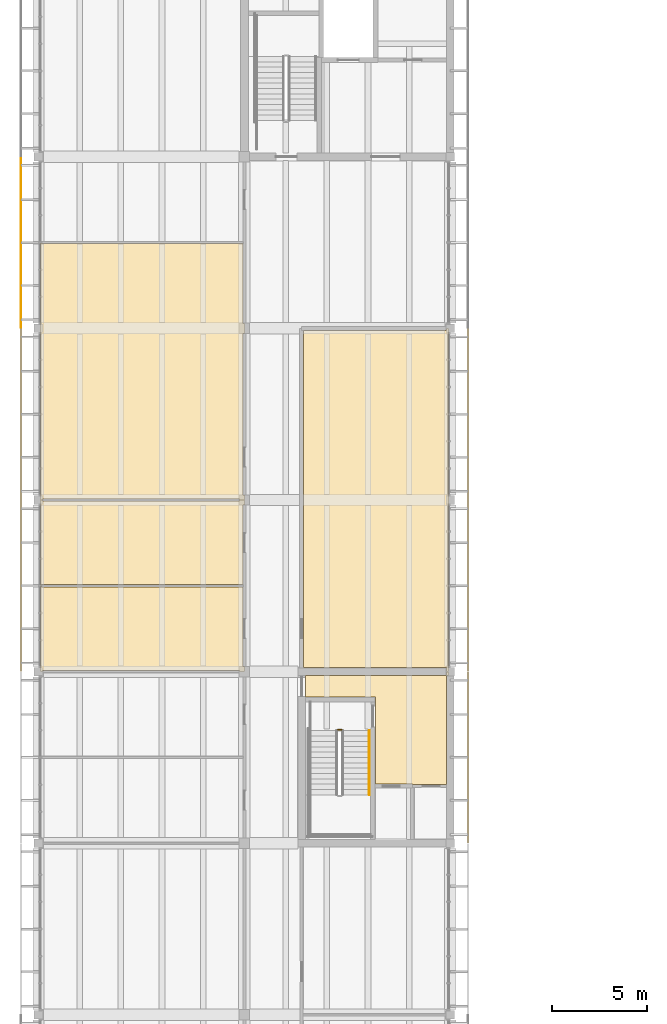
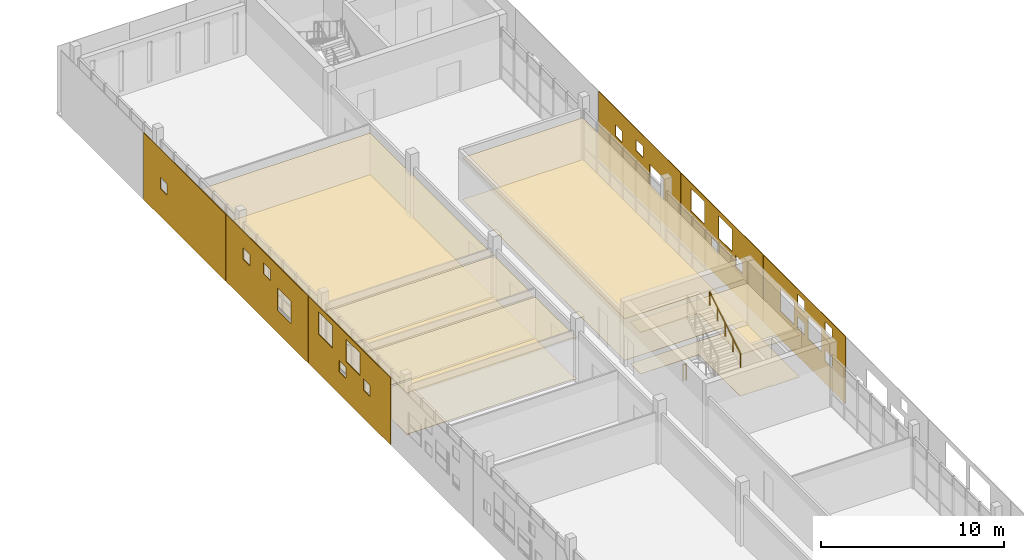
# One storey, part 45 of 50: 16 coverings, 2 railings.
"""IFC4 building model written with IfcOpenShell, lengths in metres."""

from ifc_helpers import new_model, si_unit, direction, frame, origin, origin_2d, place, context, subcontext, project, spatial, polyline, circle, outline, extrude, source, transform, mapped, material, layer, layer_set, type_object, element, save


model = new_model("IFC4")

# Units and contexts
model_context = context("Model", 3, precision=1e-05, world=origin(), true_north=direction((0.0, 1.0)))
body_context = subcontext(model_context, "Body", "Model", "MODEL_VIEW")
ifc_project = project(units=[si_unit("LENGTHUNIT", "METRE"), si_unit("AREAUNIT", "SQUARE_METRE"), si_unit("VOLUMEUNIT", "CUBIC_METRE"), si_unit("PLANEANGLEUNIT", "RADIAN"), si_unit("MASSUNIT", "GRAM", prefix="KILO")], contexts=[model_context])

# Site, building, storey
site_placement = place(None, origin())
site = spatial("IfcSite", under=ifc_project, at=site_placement, CompositionType="ELEMENT")
building_placement = place(site_placement, origin())
building = spatial("IfcBuilding", under=site, at=building_placement, Name="Merrow Basin Faculty of Sciences", CompositionType="ELEMENT")
storey_placement = place(building_placement, frame((0.0, 0.0, 18.0)))
storey = spatial("IfcBuildingStorey", under=building, at=storey_placement, Name="L04", CompositionType="ELEMENT", Elevation=18.0)

# Coverings
ifc_material_1 = material(Name="Carpet tile floor")
ifc_layer_1 = layer(ifc_material_1, 0.02001953125)
ifc_layer_set_1 = layer_set([ifc_layer_1], Name="Carpet tile floor")
covering_type_1 = type_object("IfcCoveringType", Name="Carpet tile floor", PredefinedType="FLOORING", material=ifc_layer_set_1)
covering_1_placement = place(storey_placement, origin())
element("IfcCovering", 1, at=covering_1_placement, inside=storey, type_object=covering_type_1, Name="Floor finish L04-B-020", PredefinedType="FLOORING", context=body_context, shape_type="SweptSolid", body=[
    extrude(outline(polyline([(10.715087890625, 101.43994140625), (10.715087890625, 97.264892578125), (10.7900390625, 97.264892578125), (10.7900390625, 97.010009765625), (10.534912109375, 97.010009765625), (10.534912109375, 97.06005859375), (0.215087890625, 97.06005859375), (0.215087890625, 97.010009765625), (0.110107421875, 97.010009765625), (0.110107421875, 101.489990234375), (0.169921875, 101.489990234375), (0.169921875, 101.43994140625), (10.715087890625, 101.43994140625)])), origin(), (0.0, 0.0, 1.0), 0.02001953125),
])
covering_2_placement = place(storey_placement, origin())
element("IfcCovering", 2, at=covering_2_placement, inside=storey, type_object=covering_type_1, Name="Floor finish L04-B-021", PredefinedType="FLOORING", context=body_context, shape_type="SweptSolid", body=[
    extrude(outline(polyline([(10.715087890625, 101.56005859375), (0.169921875, 101.56005859375), (0.169921875, 101.510009765625), (0.110107421875, 101.510009765625), (0.110107421875, 105.989990234375), (0.215087890625, 105.989990234375), (0.215087890625, 105.93994140625), (10.534912109375, 105.93994140625), (10.534912109375, 105.989990234375), (10.7900390625, 105.989990234375), (10.7900390625, 105.735107421875), (10.715087890625, 105.735107421875), (10.715087890625, 101.56005859375)])), origin(), (0.0, 0.0, 1.0), 0.02001953125),
])
covering_3_placement = place(storey_placement, origin())
element("IfcCovering", 3, at=covering_3_placement, inside=storey, type_object=covering_type_1, Name="Floor finish L04-B-022", PredefinedType="FLOORING", context=body_context, shape_type="SweptSolid", body=[
    extrude(outline(polyline([(10.715087890625, 119.43994140625), (10.715087890625, 115.264892578125), (10.7900390625, 115.264892578125), (10.7900390625, 114.735107421875), (10.715087890625, 114.735107421875), (10.715087890625, 106.264892578125), (10.7900390625, 106.264892578125), (10.7900390625, 106.010009765625), (10.534912109375, 106.010009765625), (10.534912109375, 106.06005859375), (0.215087890625, 106.06005859375), (0.215087890625, 106.010009765625), (0.110107421875, 106.010009765625), (0.110107421875, 119.489990234375), (0.169921875, 119.489990234375), (0.169921875, 119.43994140625), (10.715087890625, 119.43994140625)])), origin(), (0.0, 0.0, 1.0), 0.02001953125),
])
ifc_material_2 = material(Name="Polished terrazzo floor")
ifc_layer_2 = layer(ifc_material_2, 0.02001953125)
ifc_layer_set_2 = layer_set([ifc_layer_2], Name="Polished terrazzo floor")
covering_type_2 = type_object("IfcCoveringType", Name="Polished terrazzo floor", PredefinedType="FLOORING", material=ifc_layer_set_2)
covering_4_placement = place(storey_placement, origin())
element("IfcCovering", 4, at=covering_4_placement, inside=storey, type_object=covering_type_2, Name="Floor finish L04-B-007", PredefinedType="FLOORING", context=body_context, shape_type="SweptSolid", body=[
    extrude(outline(polyline([(21.389892578125, 91.0849609375), (19.610107421875, 91.0849609375), (19.610107421875, 91.110107421875), (17.659912109375, 91.110107421875), (17.659912109375, 95.659912109375), (14.010009765625, 95.659912109375), (14.010009765625, 96.7900390625), (21.385009765625, 96.7900390625), (21.385009765625, 96.989990234375), (21.489990234375, 96.989990234375), (21.489990234375, 96.784912109375), (21.389892578125, 96.784912109375), (21.389892578125, 91.0849609375)])), origin(), (0.0, 0.0, 1.0), 0.02001953125),
])
ifc_material_3 = material(Name="Sealed concrete floor", Category="concrete")
ifc_layer_3 = layer(ifc_material_3, 0.02001953125)
ifc_layer_set_3 = layer_set([ifc_layer_3], Name="Sealed concrete floor")
covering_type_3 = type_object("IfcCoveringType", Name="Sealed concrete floor", PredefinedType="FLOORING", material=ifc_layer_set_3)
covering_5_placement = place(storey_placement, origin())
element("IfcCovering", 5, at=covering_5_placement, inside=storey, type_object=covering_type_3, Name="Floor finish L04-B-026", PredefinedType="FLOORING", context=body_context, shape_type="SweptSolid", body=[
    extrude(outline(polyline([(21.489990234375, 114.989990234375), (21.489990234375, 97.010009765625), (21.385009765625, 97.010009765625), (21.385009765625, 97.2099609375), (13.909912109375, 97.2099609375), (13.909912109375, 114.889892578125), (21.385009765625, 114.889892578125), (21.385009765625, 114.989990234375), (21.489990234375, 114.989990234375)])), origin(), (0.0, 0.0, 1.0), 0.02001953125),
])

# Railings
ifc_material_4 = material(Name="Steel ASTM A36", Category="steel")
railing_type_1 = type_object("IfcRailingType", Name="Steel guard 1100", PredefinedType="GUARDRAIL", material=ifc_material_4)
railing_1_placement = place(storey_placement, frame((15.699951171875, 93.949951171875, 0.0)))
element("IfcRailing", 6, at=railing_1_placement, inside=storey, type_object=railing_type_1, Name="L04 ST-V4-M stair guard 6", PredefinedType="GUARDRAIL", context=body_context, shape_type="SweptSolid", body=[
    extrude(circle(Radius=0.02392578125, at=origin_2d()), frame((0.0, 0.0, 1.076171875), z_axis=(1.0, 0.0, 0.0), x_axis=(0.0, 1.0, 0.0)), (0.0, 0.0, 1.0), 0.199951171875),
    extrude(circle(Radius=0.02099609375, at=origin_2d()), origin(), (0.0, 0.0, 1.0), 1.052001953125),
    extrude(circle(Radius=0.02099609375, at=origin_2d()), frame((0.199951171875, 0.0, 0.0)), (0.0, 0.0, 1.0), 1.052001953125),
])
ifc_material_5 = material(Name="Steel ASTM A36", Category="steel")
railing_type_2 = type_object("IfcRailingType", Name="Steel handrail 900", PredefinedType="HANDRAIL", material=ifc_material_5)
railing_2_placement = place(storey_placement, frame((17.35009765625, 90.5400390625, 2.423095703125)))
element("IfcRailing", 7, at=railing_2_placement, inside=storey, type_object=railing_type_2, Name="L04 ST-V4-M stair handrail 2", PredefinedType="HANDRAIL", context=body_context, shape_type="SweptSolid", body=[
    extrude(circle(Radius=0.02392578125, at=origin_2d()), frame((0.0, 0.0, 0.8759765625), z_axis=(0.0, 0.850606129759, 0.525803396734), x_axis=(-1.0, 0.0, 0.0)), (0.0, 0.0, 1.0), 3.949951171875),
    extrude(circle(Radius=0.02099609375, at=origin_2d()), origin(), (0.0, 0.0, 1.0), 0.851806640625),
    extrude(circle(Radius=0.02099609375, at=origin_2d()), frame((0.0, 0.83984375, 0.519287109375)), (0.0, 0.0, 1.0), 0.851806640625),
    extrude(circle(Radius=0.02099609375, at=origin_2d()), frame((0.0, 1.679931640625, 1.03857421875)), (0.0, 0.0, 1.0), 0.851806640625),
    extrude(circle(Radius=0.02099609375, at=origin_2d()), frame((0.0, 2.52001953125, 1.5576171875)), (0.0, 0.0, 1.0), 0.851806640625),
    extrude(circle(Radius=0.02099609375, at=origin_2d()), frame((0.0, 3.35986328125, 2.076904296875)), (0.0, 0.0, 1.0), 0.851806640625),
])

# Coverings
ifc_material_6 = material(Name="Mineral fibre ceiling tile")
ifc_layer_4 = layer(ifc_material_6, 0.050048828125)
ifc_layer_set_4 = layer_set([ifc_layer_4], Name="Suspended acoustic ceiling tile")
covering_type_4 = type_object("IfcCoveringType", Name="Suspended acoustic ceiling tile", PredefinedType="CEILING", material=ifc_layer_set_4)
covering_6_placement = place(storey_placement, frame((0.0, 0.0, 2.75)))
element("IfcCovering", 8, at=covering_6_placement, inside=storey, type_object=covering_type_4, Name="Ceiling L04-B-007", PredefinedType="CEILING", context=body_context, shape_type="SweptSolid", body=[
    extrude(outline(polyline([(21.389892578125, 91.0849609375), (19.610107421875, 91.0849609375), (19.610107421875, 91.110107421875), (17.659912109375, 91.110107421875), (17.659912109375, 95.659912109375), (14.010009765625, 95.659912109375), (14.010009765625, 96.7900390625), (21.385009765625, 96.7900390625), (21.385009765625, 96.989990234375), (21.489990234375, 96.989990234375), (21.489990234375, 96.784912109375), (21.389892578125, 96.784912109375), (21.389892578125, 91.0849609375)])), origin(), (0.0, 0.0, 1.0), 0.050048828125),
])
covering_7_placement = place(storey_placement, frame((0.0, 0.0, 2.75)))
element("IfcCovering", 9, at=covering_7_placement, inside=storey, type_object=covering_type_4, Name="Ceiling L04-B-020", PredefinedType="CEILING", context=body_context, shape_type="SweptSolid", body=[
    extrude(outline(polyline([(10.715087890625, 101.43994140625), (10.715087890625, 97.264892578125), (10.7900390625, 97.264892578125), (10.7900390625, 97.010009765625), (10.534912109375, 97.010009765625), (10.534912109375, 97.06005859375), (0.215087890625, 97.06005859375), (0.215087890625, 97.010009765625), (0.110107421875, 97.010009765625), (0.110107421875, 101.489990234375), (0.169921875, 101.489990234375), (0.169921875, 101.43994140625), (10.715087890625, 101.43994140625)])), origin(), (0.0, 0.0, 1.0), 0.050048828125),
])
covering_8_placement = place(storey_placement, frame((0.0, 0.0, 2.75)))
element("IfcCovering", 10, at=covering_8_placement, inside=storey, type_object=covering_type_4, Name="Ceiling L04-B-021", PredefinedType="CEILING", context=body_context, shape_type="SweptSolid", body=[
    extrude(outline(polyline([(10.715087890625, 101.56005859375), (0.169921875, 101.56005859375), (0.169921875, 101.510009765625), (0.110107421875, 101.510009765625), (0.110107421875, 105.989990234375), (0.215087890625, 105.989990234375), (0.215087890625, 105.93994140625), (10.534912109375, 105.93994140625), (10.534912109375, 105.989990234375), (10.7900390625, 105.989990234375), (10.7900390625, 105.735107421875), (10.715087890625, 105.735107421875), (10.715087890625, 101.56005859375)])), origin(), (0.0, 0.0, 1.0), 0.050048828125),
])
covering_9_placement = place(storey_placement, frame((0.0, 0.0, 2.75)))
element("IfcCovering", 11, at=covering_9_placement, inside=storey, type_object=covering_type_4, Name="Ceiling L04-B-022", PredefinedType="CEILING", context=body_context, shape_type="SweptSolid", body=[
    extrude(outline(polyline([(10.715087890625, 119.43994140625), (10.715087890625, 115.264892578125), (10.7900390625, 115.264892578125), (10.7900390625, 114.735107421875), (10.715087890625, 114.735107421875), (10.715087890625, 106.264892578125), (10.7900390625, 106.264892578125), (10.7900390625, 106.010009765625), (10.534912109375, 106.010009765625), (10.534912109375, 106.06005859375), (0.215087890625, 106.06005859375), (0.215087890625, 106.010009765625), (0.110107421875, 106.010009765625), (0.110107421875, 119.489990234375), (0.169921875, 119.489990234375), (0.169921875, 119.43994140625), (10.715087890625, 119.43994140625)])), origin(), (0.0, 0.0, 1.0), 0.050048828125),
])
covering_10_placement = place(storey_placement, frame((0.0, 0.0, 2.75)))
element("IfcCovering", 12, at=covering_10_placement, inside=storey, type_object=covering_type_4, Name="Ceiling L04-B-026", PredefinedType="CEILING", context=body_context, shape_type="SweptSolid", body=[
    extrude(outline(polyline([(21.489990234375, 114.989990234375), (21.489990234375, 97.010009765625), (21.385009765625, 97.010009765625), (21.385009765625, 97.2099609375), (13.909912109375, 97.2099609375), (13.909912109375, 114.889892578125), (21.385009765625, 114.889892578125), (21.385009765625, 114.989990234375), (21.489990234375, 114.989990234375)])), origin(), (0.0, 0.0, 1.0), 0.050048828125),
])
ifc_material_7 = material(Name="White powder-coated aluminium", Category="aluminium")
ifc_layer_5 = layer(ifc_material_7, 0.0400390625)
ifc_layer_set_5 = layer_set([ifc_layer_5], Name="Perforated panel 9000 x 4500")
covering_type_5 = type_object("IfcCoveringType", Name="Perforated panel 9000 x 4500", PredefinedType="CLADDING", material=ifc_layer_set_5)
shared_shape_1 = source(origin(), body_context, "Body", "SweptSolid", [
    extrude(outline(polyline([(0.02001953125, 0.02001953125), (8.97998046875, 0.02001953125), (8.97998046875, 4.47998046875), (0.02001953125, 4.47998046875), (0.02001953125, 0.02001953125)]), holes=[polyline([(6.75, 1.5), (7.5, 1.5), (7.5, 2.25), (6.75, 2.25), (6.75, 1.5)]), polyline([(4.875, 1.875), (6.375, 1.875), (6.375, 3.375), (4.875, 3.375), (4.875, 1.875)]), polyline([(3.75, 1.875), (4.5, 1.875), (4.5, 2.625), (3.75, 2.625), (3.75, 1.875)]), polyline([(1.875, 1.875), (3.375, 1.875), (3.375, 3.375), (1.875, 3.375), (1.875, 1.875)]), polyline([(6.75, 3.375), (7.5, 3.375), (7.5, 4.125), (6.75, 4.125), (6.75, 3.375)]), polyline([(3.75, 3.375), (4.5, 3.375), (4.5, 4.125), (3.75, 4.125), (3.75, 3.375)])]), origin(), (0.0, 0.0, 1.0), 0.0400390625),
])
covering_11_placement = place(storey_placement, frame((22.5400390625, 97.0, -0.320068359375), z_axis=(-1.0, 0.0, 0.0), x_axis=(0.0, -1.0, 0.0)))
element("IfcCovering", 13, at=covering_11_placement, inside=storey, type_object=covering_type_5, Name="Perforated panel EL04-04", PredefinedType="CLADDING", context=body_context, shape_type="MappedRepresentation", body=[
    mapped(shared_shape_1, transform((0.0, 0.0, 0.0), scale=1.0)),
])
shared_shape_2 = source(origin(), body_context, "Body", "SweptSolid", [
    extrude(outline(polyline([(0.02001953125, 0.02001953125), (8.97998046875, 0.02001953125), (8.97998046875, 4.47998046875), (0.02001953125, 4.47998046875), (0.02001953125, 0.02001953125)]), holes=[polyline([(4.875, 1.5), (5.625, 1.5), (5.625, 2.25), (4.875, 2.25), (4.875, 1.5)]), polyline([(2.25, 1.875), (3.0, 1.875), (3.0, 2.625), (2.25, 2.625), (2.25, 1.875)]), polyline([(3.375, 2.625), (4.875, 2.625), (4.875, 4.125), (3.375, 4.125), (3.375, 2.625)]), polyline([(6.375, 2.625), (7.875, 2.625), (7.875, 4.125), (6.375, 4.125), (6.375, 2.625)])]), origin(), (0.0, 0.0, 1.0), 0.0400390625),
])
covering_12_placement = place(storey_placement, frame((-0.93994140625, 97.0, -0.320068359375), z_axis=(1.0, 0.0, 0.0), x_axis=(0.0, 1.0, 0.0)))
element("IfcCovering", 14, at=covering_12_placement, inside=storey, type_object=covering_type_5, Name="Perforated panel WL04-05", PredefinedType="CLADDING", context=body_context, shape_type="MappedRepresentation", body=[
    mapped(shared_shape_2, transform((0.0, 0.0, 0.0), scale=1.0)),
])
shared_shape_3 = source(origin(), body_context, "Body", "SweptSolid", [
    extrude(outline(polyline([(0.02001953125, 0.02001953125), (8.97998046875, 0.02001953125), (8.97998046875, 4.47998046875), (0.02001953125, 4.47998046875), (0.02001953125, 0.02001953125)]), holes=[polyline([(3.375, 1.5), (4.125, 1.5), (4.125, 2.25), (3.375, 2.25), (3.375, 1.5)]), polyline([(6.0, 1.875), (6.75, 1.875), (6.75, 2.625), (6.0, 2.625), (6.0, 1.875)]), polyline([(4.125, 2.625), (5.625, 2.625), (5.625, 4.125), (4.125, 4.125), (4.125, 2.625)]), polyline([(1.125, 2.625), (2.625, 2.625), (2.625, 4.125), (1.125, 4.125), (1.125, 2.625)])]), origin(), (0.0, 0.0, 1.0), 0.0400390625),
])
covering_13_placement = place(storey_placement, frame((22.5400390625, 106.0, -0.320068359375), z_axis=(-1.0, 0.0, 0.0), x_axis=(0.0, -1.0, 0.0)))
element("IfcCovering", 15, at=covering_13_placement, inside=storey, type_object=covering_type_5, Name="Perforated panel EL04-05", PredefinedType="CLADDING", context=body_context, shape_type="MappedRepresentation", body=[
    mapped(shared_shape_3, transform((0.0, 0.0, 0.0), scale=1.0)),
])
shared_shape_4 = source(origin(), body_context, "Body", "SweptSolid", [
    extrude(outline(polyline([(0.02001953125, 0.02001953125), (8.97998046875, 0.02001953125), (8.97998046875, 4.47998046875), (0.02001953125, 4.47998046875), (0.02001953125, 0.02001953125)]), holes=[polyline([(1.875, 1.5), (3.375, 1.5), (3.375, 3.0), (1.875, 3.0), (1.875, 1.5)]), polyline([(6.375, 2.625), (7.125, 2.625), (7.125, 3.375), (6.375, 3.375), (6.375, 2.625)]), polyline([(4.125, 3.0), (4.875, 3.0), (4.875, 3.75), (4.125, 3.75), (4.125, 3.0)])]), origin(), (0.0, 0.0, 1.0), 0.0400390625),
])
covering_14_placement = place(storey_placement, frame((-0.93994140625, 106.0, -0.320068359375), z_axis=(1.0, 0.0, 0.0), x_axis=(0.0, 1.0, 0.0)))
element("IfcCovering", 16, at=covering_14_placement, inside=storey, type_object=covering_type_5, Name="Perforated panel WL04-06", PredefinedType="CLADDING", context=body_context, shape_type="MappedRepresentation", body=[
    mapped(shared_shape_4, transform((0.0, 0.0, 0.0), scale=1.0)),
])
shared_shape_5 = source(origin(), body_context, "Body", "SweptSolid", [
    extrude(outline(polyline([(0.02001953125, 0.02001953125), (8.97998046875, 0.02001953125), (8.97998046875, 4.47998046875), (0.02001953125, 4.47998046875), (0.02001953125, 0.02001953125)]), holes=[polyline([(5.625, 1.5), (7.125, 1.5), (7.125, 3.0), (5.625, 3.0), (5.625, 1.5)]), polyline([(1.875, 2.625), (2.625, 2.625), (2.625, 3.375), (1.875, 3.375), (1.875, 2.625)]), polyline([(4.125, 3.0), (4.875, 3.0), (4.875, 3.75), (4.125, 3.75), (4.125, 3.0)])]), origin(), (0.0, 0.0, 1.0), 0.0400390625),
])
covering_15_placement = place(storey_placement, frame((22.5400390625, 115.0, -0.320068359375), z_axis=(-1.0, 0.0, 0.0), x_axis=(0.0, -1.0, 0.0)))
element("IfcCovering", 17, at=covering_15_placement, inside=storey, type_object=covering_type_5, Name="Perforated panel EL04-06", PredefinedType="CLADDING", context=body_context, shape_type="MappedRepresentation", body=[
    mapped(shared_shape_5, transform((0.0, 0.0, 0.0), scale=1.0)),
])
shared_shape_6 = source(origin(), body_context, "Body", "SweptSolid", [
    extrude(outline(polyline([(0.02001953125, 0.02001953125), (8.97998046875, 0.02001953125), (8.97998046875, 4.47998046875), (0.02001953125, 4.47998046875), (0.02001953125, 0.02001953125)]), holes=[polyline([(6.375, 1.875), (7.125, 1.875), (7.125, 2.625), (6.375, 2.625), (6.375, 1.875)])]), origin(), (0.0, 0.0, 1.0), 0.0400390625),
])
covering_16_placement = place(storey_placement, frame((-0.93994140625, 115.0, -0.320068359375), z_axis=(1.0, 0.0, 0.0), x_axis=(0.0, 1.0, 0.0)))
element("IfcCovering", 18, at=covering_16_placement, inside=storey, type_object=covering_type_5, Name="Perforated panel WL04-07", PredefinedType="CLADDING", context=body_context, shape_type="MappedRepresentation", body=[
    mapped(shared_shape_6, transform((0.0, 0.0, 0.0), scale=1.0)),
])

save(model, "model.ifc")
